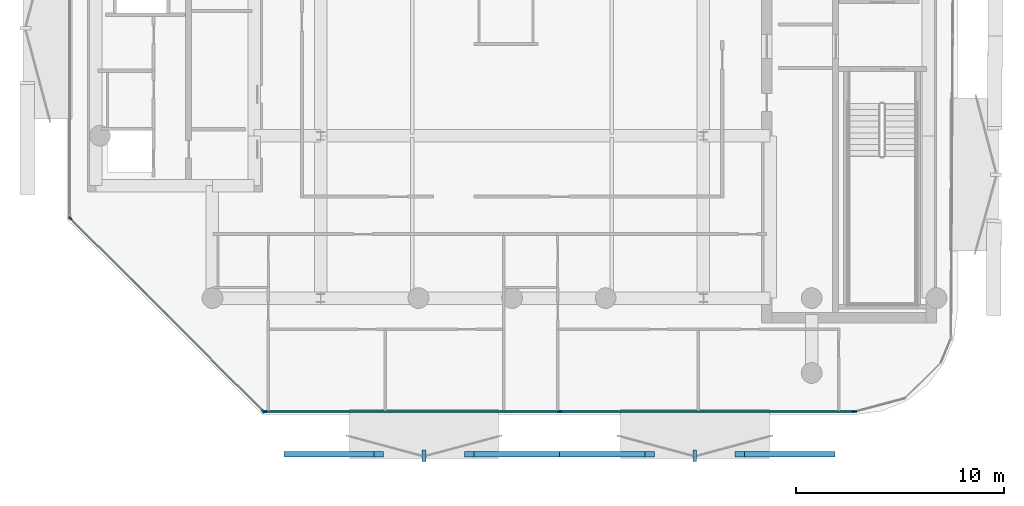
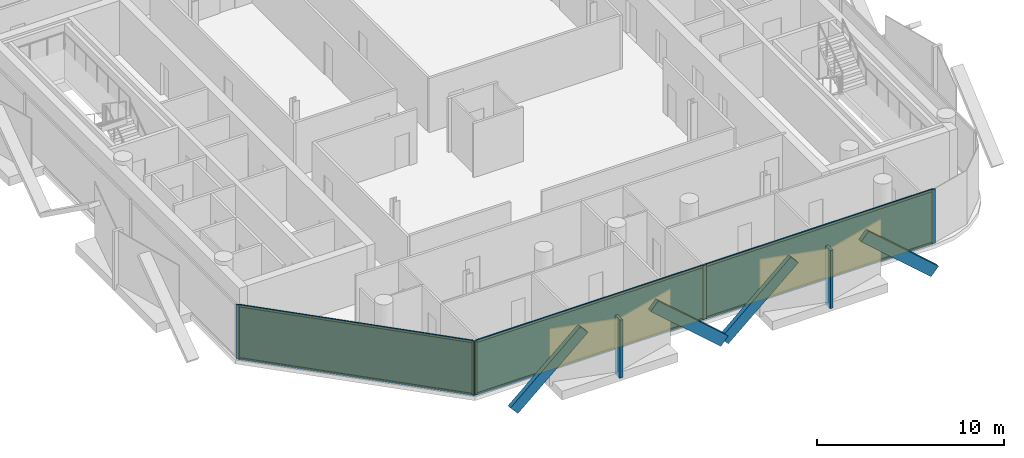
# One storey, part 8 of 16: 17 members, 3 plates, 2 curtain walls.
"""IFC4 building model written with IfcOpenShell, lengths in metres."""

from ifc_helpers import new_model, si_unit, direction, frame, frame_2d, origin, origin_2d, place, context, subcontext, project, spatial, rectangle, extrude, material, layer, layer_set, material_profile, profile_set, type_object, element, aggregate, save


model = new_model("IFC4")

# Units and contexts
model_context = context("Model", 3, precision=1e-05, world=origin(), true_north=direction((0.0, 1.0)))
body_context = subcontext(model_context, "Body", "Model", "MODEL_VIEW")
ifc_project = project(units=[si_unit("LENGTHUNIT", "METRE"), si_unit("AREAUNIT", "SQUARE_METRE"), si_unit("VOLUMEUNIT", "CUBIC_METRE"), si_unit("PLANEANGLEUNIT", "RADIAN"), si_unit("MASSUNIT", "GRAM", prefix="KILO")], contexts=[model_context])

# Member
ifc_material_1 = material(Name="Anodised Bronze Aluminium 6063-T6", Category="aluminium")
ifc_material_profile_1 = material_profile(ifc_material_1, rectangle(XDim=0.260009765625, YDim=0.699951171875, at=origin_2d()))
ifc_profile_set_1 = profile_set([ifc_material_profile_1], Name="Anodised Bronze Aluminium 6063-T6")
member_type_1 = type_object("IfcMemberType", Name="Bronze Diamond Solar-Screen Lattice Rib BDL-700", PredefinedType="MULLION", material=ifc_profile_set_1)
site_placement = place(None, origin())
building_placement = place(site_placement, origin())
storey_placement = place(building_placement, frame((0.0, 0.0, 311.800048828125)))
member_1_placement = place(storey_placement, frame((15.290771484375, -26.10009765625, -0.130126953125), z_axis=(-0.752272444381, 0.0, 0.658852160522), x_axis=(0.0, 1.0, 0.0)))
member_1 = element("IfcMember", 1, at=member_1_placement, type_object=member_type_1, Name="L75 Bronze Diamond Solar Screen Lattice Rib 526A", PredefinedType="MULLION", context=body_context, shape_type="SweptSolid", body=[
    extrude(rectangle(XDim=0.260009765625, YDim=0.699951171875, at=origin_2d()), origin(), (0.0, 0.0, 1.0), 5.767578125),
])

member_2_placement = place(storey_placement, frame((2.2744140625, -26.10009765625, -0.130126953125), z_axis=(0.752272444381, 0.0, 0.658852160522), x_axis=(0.0, -1.0, 0.0)))
member_2 = element("IfcMember", 2, at=member_2_placement, type_object=member_type_1, Name="L75 Bronze Diamond Solar Screen Lattice Rib 526B", PredefinedType="MULLION", context=body_context, shape_type="SweptSolid", body=[
    extrude(rectangle(XDim=0.260009765625, YDim=0.699951171875, at=origin_2d()), origin(), (0.0, 0.0, 1.0), 5.767578125),
])

member_3_placement = place(storey_placement, frame((2.2744140625, -26.10009765625, -0.130126953125), z_axis=(-0.752272444381, 0.0, 0.658852160522), x_axis=(0.0, 1.0, 0.0)))
member_3 = element("IfcMember", 3, at=member_3_placement, type_object=member_type_1, Name="L75 Bronze Diamond Solar Screen Lattice Rib 527A", PredefinedType="MULLION", context=body_context, shape_type="SweptSolid", body=[
    extrude(rectangle(XDim=0.260009765625, YDim=0.699951171875, at=origin_2d()), origin(), (0.0, 0.0, 1.0), 5.767578125),
])

member_4_placement = place(storey_placement, frame((-10.741943359375, -26.10009765625, -0.130126953125), z_axis=(0.752254069035, 0.0, 0.658873140764), x_axis=(0.0, -1.0, 0.0)))
member_4 = element("IfcMember", 4, at=member_4_placement, type_object=member_type_1, Name="L75 Bronze Diamond Solar Screen Lattice Rib 527B", PredefinedType="MULLION", context=body_context, shape_type="SweptSolid", body=[
    extrude(rectangle(XDim=0.260009765625, YDim=0.699951171875, at=origin_2d()), origin(), (0.0, 0.0, 1.0), 5.767578125),
])

ifc_material_2 = material(Name="Anodised Bronze Aluminium 6063-T6", Category="aluminium")
ifc_material_profile_2 = material_profile(ifc_material_2, rectangle(XDim=0.179931640625, YDim=0.5400390625, at=origin_2d()))
ifc_profile_set_2 = profile_set([ifc_material_profile_2], Name="Anodised Bronze Aluminium 6063-T6")
member_type_2 = type_object("IfcMemberType", Name="Bronze Solar-Screen Vertical Fold Fin BSF-540", PredefinedType="MULLION", material=ifc_profile_set_2)
member_5_placement = place(storey_placement, frame((8.78271484375, -26.179931640625, -0.130126953125), z_axis=(0.0, 0.0, 1.0), x_axis=(-1.0, 0.0, 0.0)))
member_5 = element("IfcMember", 5, at=member_5_placement, type_object=member_type_2, Name="L75 Bronze Solar Screen Vertical Fin 526", PredefinedType="MULLION", context=body_context, shape_type="SweptSolid", body=[
    extrude(rectangle(XDim=0.179931640625, YDim=0.5400390625, at=origin_2d()), origin(), (0.0, 0.0, 1.0), 3.800048828125),
])

member_6_placement = place(storey_placement, frame((-4.23388671875, -26.179931640625, -0.130126953125), z_axis=(0.0, 0.0, 1.0), x_axis=(-1.0, 0.0, 0.0)))
member_6 = element("IfcMember", 6, at=member_6_placement, type_object=member_type_2, Name="L75 Bronze Solar Screen Vertical Fin 527", PredefinedType="MULLION", context=body_context, shape_type="SweptSolid", body=[
    extrude(rectangle(XDim=0.179931640625, YDim=0.5400390625, at=origin_2d()), origin(), (0.0, 0.0, 1.0), 3.800048828125),
])

ifc_material_3 = material(Name="Anodised Bronze Aluminium 6063-T6", Category="aluminium")
ifc_material_profile_3 = material_profile(ifc_material_3, rectangle(XDim=0.074951171875, YDim=0.2099609375, at=origin_2d()))
ifc_profile_set_3 = profile_set([ifc_material_profile_3], Name="Anodised Bronze Aluminium 6063-T6")
member_type_3 = type_object("IfcMemberType", Name="CW-CRN Mullion 75x210", PredefinedType="MULLION", material=ifc_profile_set_3)
member_7_placement = place(storey_placement, frame((16.453369140625, -24.06005859375, 0.0), z_axis=(0.0, 0.0, 1.0), x_axis=(0.0, -1.0, 0.0)))
member_7 = element("IfcMember", 7, at=member_7_placement, type_object=member_type_3, Name="CW-CRN mullion 1", PredefinedType="MULLION", context=body_context, shape_type="SweptSolid", body=[
    extrude(rectangle(XDim=0.074951171875, YDim=0.2099609375, at=origin_2d()), origin(), (0.0, 0.0, 1.0), 3.5400390625),
])

member_8_placement = place(storey_placement, frame((2.2744140625, -24.06005859375, 0.0), z_axis=(0.0, 0.0, 1.0), x_axis=(0.0, -1.0, 0.0)))
member_8 = element("IfcMember", 8, at=member_8_placement, type_object=member_type_3, Name="CW-CRN mullion 2", PredefinedType="MULLION", context=body_context, shape_type="SweptSolid", body=[
    extrude(rectangle(XDim=0.074951171875, YDim=0.2099609375, at=origin_2d()), origin(), (0.0, 0.0, 1.0), 3.5400390625),
])

member_9_placement = place(storey_placement, frame((-11.904541015625, -24.06005859375, 0.0), z_axis=(0.0, 0.0, 1.0), x_axis=(0.0, -1.0, 0.0)))
member_9 = element("IfcMember", 9, at=member_9_placement, type_object=member_type_3, Name="CW-CRN mullion 3", PredefinedType="MULLION", context=body_context, shape_type="SweptSolid", body=[
    extrude(rectangle(XDim=0.074951171875, YDim=0.2099609375, at=origin_2d()), origin(), (0.0, 0.0, 1.0), 3.5400390625),
])

ifc_material_4 = material(Name="Anodised Bronze Aluminium 6063-T6", Category="aluminium")
ifc_material_profile_4 = material_profile(ifc_material_4, rectangle(XDim=0.074951171875, YDim=0.1650390625, at=origin_2d()))
ifc_profile_set_4 = profile_set([ifc_material_profile_4], Name="Anodised Bronze Aluminium 6063-T6")
member_type_4 = type_object("IfcMemberType", Name="CW-CRN Transom 75x165", PredefinedType="USERDEFINED", material=ifc_profile_set_4)
member_10_placement = place(storey_placement, frame((16.415771484375, -24.06005859375, 0.037353515625), z_axis=(-1.0, 0.0, 0.0), x_axis=(0.0, -1.0, 0.0)))
member_10 = element("IfcMember", 10, at=member_10_placement, type_object=member_type_4, Name="CW-CRN transom 1.1", ObjectType="TRANSOM", PredefinedType="USERDEFINED", context=body_context, shape_type="SweptSolid", body=[
    extrude(rectangle(XDim=0.074951171875, YDim=0.1650390625, at=origin_2d()), origin(), (0.0, 0.0, 1.0), 14.103759765625),
])

member_11_placement = place(storey_placement, frame((16.415771484375, -24.06005859375, 3.50244140625), z_axis=(-1.0, 0.0, 0.0), x_axis=(0.0, -1.0, 0.0)))
member_11 = element("IfcMember", 11, at=member_11_placement, type_object=member_type_4, Name="CW-CRN transom 1.2", ObjectType="TRANSOM", PredefinedType="USERDEFINED", context=body_context, shape_type="SweptSolid", body=[
    extrude(rectangle(XDim=0.074951171875, YDim=0.1650390625, at=origin_2d()), origin(), (0.0, 0.0, 1.0), 14.103759765625),
])

member_12_placement = place(storey_placement, frame((2.23681640625, -24.06005859375, 0.037353515625), z_axis=(-1.0, 0.0, 0.0), x_axis=(0.0, -1.0, 0.0)))
member_12 = element("IfcMember", 12, at=member_12_placement, type_object=member_type_4, Name="CW-CRN transom 2.1", ObjectType="TRANSOM", PredefinedType="USERDEFINED", context=body_context, shape_type="SweptSolid", body=[
    extrude(rectangle(XDim=0.074951171875, YDim=0.1650390625, at=origin_2d()), origin(), (0.0, 0.0, 1.0), 14.103759765625),
])

member_13_placement = place(storey_placement, frame((2.23681640625, -24.06005859375, 3.50244140625), z_axis=(-1.0, 0.0, 0.0), x_axis=(0.0, -1.0, 0.0)))
member_13 = element("IfcMember", 13, at=member_13_placement, type_object=member_type_4, Name="CW-CRN transom 2.2", ObjectType="TRANSOM", PredefinedType="USERDEFINED", context=body_context, shape_type="SweptSolid", body=[
    extrude(rectangle(XDim=0.074951171875, YDim=0.1650390625, at=origin_2d()), origin(), (0.0, 0.0, 1.0), 14.103759765625),
])

ifc_material_5 = material(Name="Anodised Bronze Aluminium 6063-T6", Category="aluminium")
ifc_material_profile_5 = material_profile(ifc_material_5, rectangle(XDim=0.070068359375, YDim=0.18994140625, at=origin_2d()))
ifc_profile_set_5 = profile_set([ifc_material_profile_5], Name="Anodised Bronze Aluminium 6063-T6")
member_type_5 = type_object("IfcMemberType", Name="CW-SLC Mullion 70x190", PredefinedType="MULLION", material=ifc_profile_set_5)
member_14_placement = place(storey_placement, frame((-11.966796875, -24.03515625, 0.0), z_axis=(0.0, 0.0, 1.0), x_axis=(-0.707106781187, -0.707106781187, 0.0)))
member_14 = element("IfcMember", 14, at=member_14_placement, type_object=member_type_5, Name="CW-SLC mullion 1", PredefinedType="MULLION", context=body_context, shape_type="SweptSolid", body=[
    extrude(rectangle(XDim=0.070068359375, YDim=0.18994140625, at=origin_2d()), origin(), (0.0, 0.0, 1.0), 3.5400390625),
])

member_15_placement = place(storey_placement, frame((-21.2353515625, -14.766845703125, 0.0), z_axis=(0.0, 0.0, 1.0), x_axis=(-0.707106781187, -0.707106781187, 0.0)))
member_15 = element("IfcMember", 15, at=member_15_placement, type_object=member_type_5, Name="CW-SLC mullion 2", PredefinedType="MULLION", context=body_context, shape_type="SweptSolid", body=[
    extrude(rectangle(XDim=0.070068359375, YDim=0.18994140625, at=origin_2d()), origin(), (0.0, 0.0, 1.0), 3.5400390625),
])

ifc_material_6 = material(Name="Anodised Bronze Aluminium 6063-T6", Category="aluminium")
ifc_material_profile_6 = material_profile(ifc_material_6, rectangle(XDim=0.070068359375, YDim=0.14990234375, at=origin_2d()))
ifc_profile_set_6 = profile_set([ifc_material_profile_6], Name="Anodised Bronze Aluminium 6063-T6")
member_type_6 = type_object("IfcMemberType", Name="CW-SLC Transom 70x150", PredefinedType="USERDEFINED", material=ifc_profile_set_6)
member_16_placement = place(storey_placement, frame((-11.991455078125, -24.010498046875, 0.034912109375), z_axis=(-0.707106781187, 0.707106781187, 0.0), x_axis=(-0.707106781187, -0.707106781187, 0.0)))
member_16 = element("IfcMember", 16, at=member_16_placement, type_object=member_type_6, Name="CW-SLC transom 1.1", ObjectType="TRANSOM", PredefinedType="USERDEFINED", context=body_context, shape_type="SweptSolid", body=[
    extrude(rectangle(XDim=0.070068359375, YDim=0.14990234375, at=origin_2d()), origin(), (0.0, 0.0, 1.0), 13.03759765625),
])

member_17_placement = place(storey_placement, frame((-11.991455078125, -24.010498046875, 3.5048828125), z_axis=(-0.707106781187, 0.707106781187, 0.0), x_axis=(-0.707106781187, -0.707106781187, 0.0)))
member_17 = element("IfcMember", 17, at=member_17_placement, type_object=member_type_6, Name="CW-SLC transom 1.2", ObjectType="TRANSOM", PredefinedType="USERDEFINED", context=body_context, shape_type="SweptSolid", body=[
    extrude(rectangle(XDim=0.070068359375, YDim=0.14990234375, at=origin_2d()), origin(), (0.0, 0.0, 1.0), 13.03759765625),
])

# Plate
ifc_material_7 = material(Name="Low-E Solar Control Laminated Glass", Category="glass")
ifc_layer_1 = layer(ifc_material_7, 0.035888671875, Name="Low-E Solar Control Laminated Glass")
ifc_layer_set_1 = layer_set([ifc_layer_1], Name="Low-E Solar Control Laminated Glass")
plate_type_1 = type_object("IfcPlateType", Name="CW-CRN Low-E Double Glazed Panel 36mm", PredefinedType="CURTAIN_PANEL", material=ifc_layer_set_1)
plate_1_placement = place(storey_placement, frame((9.36376953125, -24.06005859375, 0.0751953125), z_axis=(0.0, 0.0, 1.0), x_axis=(-1.0, 0.0, 0.0)))
plate_1 = element("IfcPlate", 18, at=plate_1_placement, type_object=plate_type_1, Name="CW-CRN panel 1.1", PredefinedType="CURTAIN_PANEL", context=body_context, shape_type="SweptSolid", body=[
    extrude(rectangle(XDim=14.10400390625, YDim=0.035888671875, at=origin_2d()), origin(), (0.0, 0.0, 1.0), 3.389892578125),
])

plate_2_placement = place(storey_placement, frame((-4.81494140625, -24.06005859375, 0.0751953125), z_axis=(0.0, 0.0, 1.0), x_axis=(-1.0, 0.0, 0.0)))
plate_2 = element("IfcPlate", 19, at=plate_2_placement, type_object=plate_type_1, Name="CW-CRN panel 2.1", PredefinedType="CURTAIN_PANEL", context=body_context, shape_type="SweptSolid", body=[
    extrude(rectangle(XDim=14.10400390625, YDim=0.035888671875, at=origin_2d()), origin(), (0.0, 0.0, 1.0), 3.389892578125),
])

ifc_material_8 = material(Name="Low-E Solar Control Laminated Glass", Category="glass")
ifc_layer_2 = layer(ifc_material_8, 0.033935546875, Name="Low-E Solar Control Laminated Glass")
ifc_layer_set_2 = layer_set([ifc_layer_2], Name="Low-E Solar Control Laminated Glass")
plate_type_2 = type_object("IfcPlateType", Name="CW-SLC Low-E Double Glazed Panel 34mm", PredefinedType="CURTAIN_PANEL", material=ifc_layer_set_2)
plate_3_placement = place(storey_placement, frame((-16.60107421875, -19.40087890625, 0.070068359375), z_axis=(0.0, 0.0, 1.0), x_axis=(-0.707106781187, 0.707106781187, 0.0)))
plate_3 = element("IfcPlate", 20, at=plate_3_placement, type_object=plate_type_2, Name="CW-SLC panel 1.1", PredefinedType="CURTAIN_PANEL", context=body_context, shape_type="SweptSolid", body=[
    extrude(rectangle(XDim=13.03759765625, YDim=0.033935546875, at=origin_2d()), origin(), (0.0, 0.0, 1.0), 3.39990234375),
])

# Site, building, storey
site = spatial("IfcSite", under=ifc_project, at=site_placement, CompositionType="ELEMENT")
building = spatial("IfcBuilding", under=site, at=building_placement, Name="Khairoan Windgate Tower", CompositionType="ELEMENT")
storey = spatial("IfcBuildingStorey", under=building, at=storey_placement, Name="L75", CompositionType="ELEMENT", Elevation=311.800048828125)

# Curtain wall
ifc_material_9 = material(Name="Anodised Bronze Aluminium 6063-T6", Category="aluminium")
ifc_layer_3 = layer(ifc_material_9, 0.2099609375, Name="Anodised Bronze Aluminium 6063-T6")
ifc_layer_set_3 = layer_set([ifc_layer_3], Name="Anodised Bronze Aluminium 6063-T6")
curtain_wall_type_1 = type_object("IfcCurtainWallType", Name="Crown Observation and Vitrine Curtain Wall CW-CRN", PredefinedType="NOTDEFINED", material=ifc_layer_set_3)
curtain_wall_1_placement = place(storey_placement, frame((16.49072265625, -24.06005859375, 0.0), z_axis=(0.0, 0.0, 1.0), x_axis=(-1.0, 0.0, 0.0)))
curtain_wall_1 = element("IfcCurtainWall", 21, at=curtain_wall_1_placement, inside=storey, type_object=curtain_wall_type_1, Name="L75 Unitised Curtain Wall 1", PredefinedType="NOTDEFINED", context=body_context, shape_type="SweptSolid", body=[
    extrude(rectangle(XDim=28.4326171875, YDim=0.010009765625, at=frame_2d((14.21630859375, 0.0))), origin(), (0.0, 0.0, 1.0), 3.5400390625),
])

aggregate(curtain_wall_1, [member_7, member_8, member_9, member_10, member_11, plate_1, member_12, member_13, plate_2, member_1, member_2, member_5, member_3, member_4, member_6])

ifc_material_10 = material(Name="Anodised Bronze Aluminium 6063-T6", Category="aluminium")
ifc_layer_4 = layer(ifc_material_10, 0.18994140625, Name="Anodised Bronze Aluminium 6063-T6")
ifc_layer_set_4 = layer_set([ifc_layer_4], Name="Anodised Bronze Aluminium 6063-T6")
curtain_wall_type_2 = type_object("IfcCurtainWallType", Name="Diagonal Corner-Slice Facet Curtain Wall CW-SLC", PredefinedType="NOTDEFINED", material=ifc_layer_set_4)
curtain_wall_2_placement = place(storey_placement, frame((-11.94189453125, -24.06005859375, 0.0), z_axis=(0.0, 0.0, 1.0), x_axis=(-0.707106781187, 0.707106781187, 0.0)))
curtain_wall_2 = element("IfcCurtainWall", 22, at=curtain_wall_2_placement, inside=storey, type_object=curtain_wall_type_2, Name="L75 Crystal Slice Curtain Wall 2", PredefinedType="NOTDEFINED", context=body_context, shape_type="SweptSolid", body=[
    extrude(rectangle(XDim=13.177734375, YDim=0.010009765625, at=frame_2d((6.5888671875, 0.0))), origin(), (0.0, 0.0, 1.0), 3.5400390625),
])

aggregate(curtain_wall_2, [member_14, member_15, member_16, member_17, plate_3])

save(model, "model.ifc")
